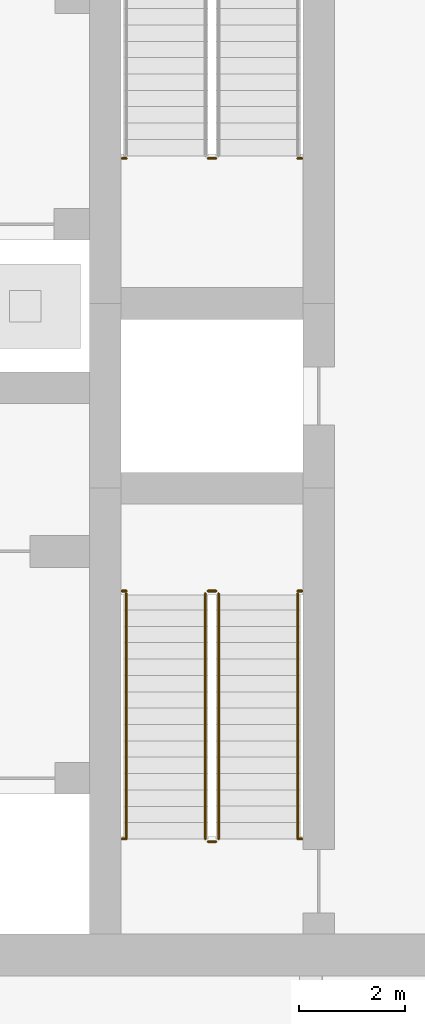
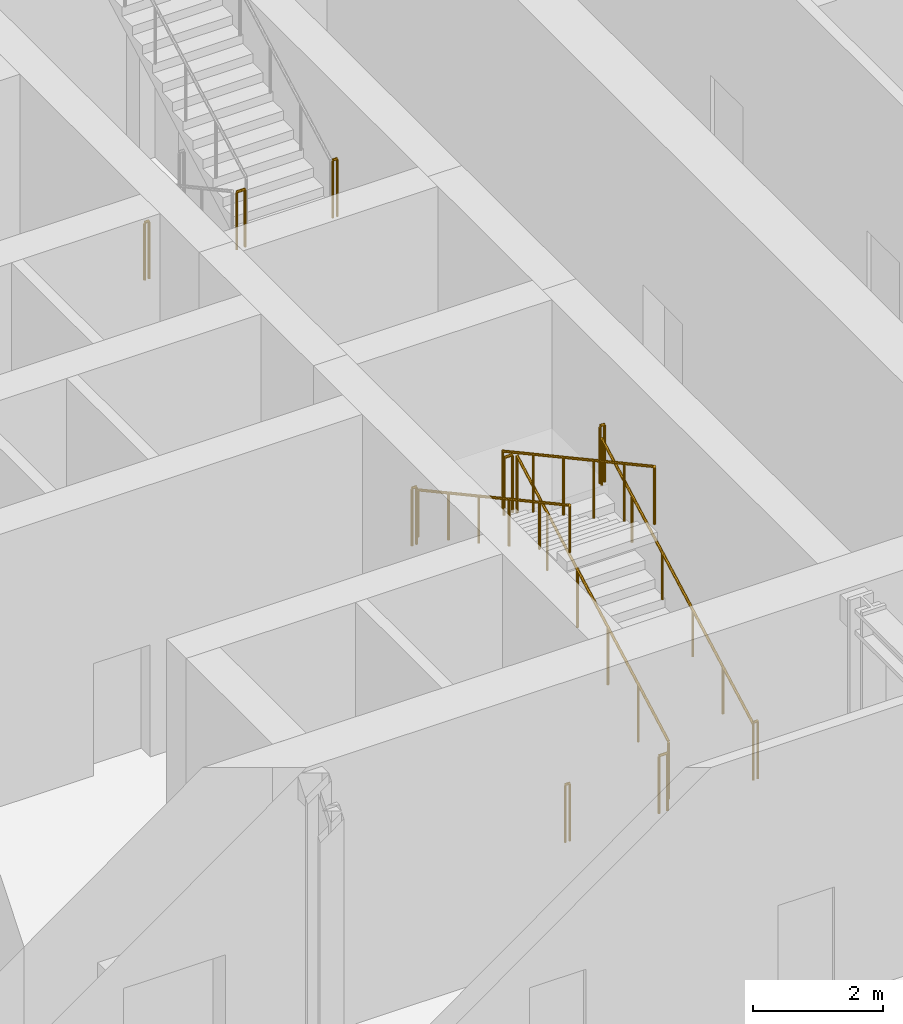
# One storey, part 23 of 27: 13 railings.
"""IFC4 building model written with IfcOpenShell, lengths in metres."""

from ifc_helpers import new_model, si_unit, direction, frame, origin, origin_2d, place, context, subcontext, project, spatial, circle, extrude, material, type_object, element, save


model = new_model("IFC4")

# Units and contexts
model_context = context("Model", 3, precision=1e-05, world=origin(), true_north=direction((0.0, 1.0)))
body_context = subcontext(model_context, "Body", "Model", "MODEL_VIEW")
ifc_project = project(units=[si_unit("LENGTHUNIT", "METRE"), si_unit("AREAUNIT", "SQUARE_METRE"), si_unit("VOLUMEUNIT", "CUBIC_METRE"), si_unit("PLANEANGLEUNIT", "RADIAN"), si_unit("MASSUNIT", "GRAM", prefix="KILO")], contexts=[model_context])

# Site, building, storey
site_placement = place(None, origin())
site = spatial("IfcSite", under=ifc_project, at=site_placement, CompositionType="ELEMENT")
building_placement = place(site_placement, origin())
building = spatial("IfcBuilding", under=site, at=building_placement, Name="Madar Terraces", CompositionType="ELEMENT")
storey_placement = place(building_placement, frame((0.0, 0.0, 143.60009765625)))
storey = spatial("IfcBuildingStorey", under=building, at=storey_placement, Name="L37", CompositionType="ELEMENT", Elevation=143.60009765625)

# Railings
ifc_material_1 = material(Name="Stainless steel railing", Category="steel")
railing_type_1 = type_object("IfcRailingType", Name="Stair guard 1100", PredefinedType="GUARDRAIL", material=ifc_material_1)
railing_1_placement = place(storey_placement, frame((41.25, 30.5, 2.699951171875)))
element("IfcRailing", 1, at=railing_1_placement, inside=storey, type_object=railing_type_1, Name="L37 ST2 stair guard 2", PredefinedType="GUARDRAIL", context=body_context, shape_type="SweptSolid", body=[
    extrude(circle(Radius=0.02392578125, at=origin_2d()), frame((0.0, 0.0, 1.076171875), z_axis=(1.0, 0.0, 0.0), x_axis=(0.0, 1.0, 0.0)), (0.0, 0.0, 1.0), 0.14990234375),
    extrude(circle(Radius=0.02099609375, at=origin_2d()), origin(), (0.0, 0.0, 1.0), 1.052001953125),
    extrude(circle(Radius=0.02099609375, at=origin_2d()), frame((0.14990234375, 0.0, 0.0)), (0.0, 0.0, 1.0), 1.052001953125),
])
railing_2_placement = place(storey_placement, frame((41.449951171875, 17.60009765625, 0.168701171875)))
element("IfcRailing", 2, at=railing_2_placement, inside=storey, type_object=railing_type_1, Name="L37 ST3 stair guard 1", PredefinedType="GUARDRAIL", context=body_context, shape_type="SweptSolid", body=[
    extrude(circle(Radius=0.02392578125, at=origin_2d()), frame((0.0, 0.0, 1.076171875), z_axis=(0.0, 0.878297076953, 0.478115304728), x_axis=(-1.0, 0.0, 0.0)), (0.0, 0.0, 1.0), 5.294189453125),
    extrude(circle(Radius=0.02099609375, at=origin_2d()), origin(), (0.0, 0.0, 1.0), 1.052001953125),
    extrude(circle(Radius=0.02099609375, at=origin_2d()), frame((0.0, 0.929931640625, 0.50634765625)), (0.0, 0.0, 1.0), 1.052001953125),
    extrude(circle(Radius=0.02099609375, at=origin_2d()), frame((0.0, 1.85986328125, 1.012451171875)), (0.0, 0.0, 1.0), 1.052001953125),
    extrude(circle(Radius=0.02099609375, at=origin_2d()), frame((0.0, 2.7900390625, 1.518798828125)), (0.0, 0.0, 1.0), 1.052001953125),
    extrude(circle(Radius=0.02099609375, at=origin_2d()), frame((0.0, 3.719970703125, 2.02490234375)), (0.0, 0.0, 1.0), 1.052001953125),
    extrude(circle(Radius=0.02099609375, at=origin_2d()), frame((0.0, 4.64990234375, 2.53125)), (0.0, 0.0, 1.0), 1.052001953125),
])
railing_3_placement = place(storey_placement, frame((41.39990234375, 22.300048828125, 2.699951171875)))
element("IfcRailing", 3, at=railing_3_placement, inside=storey, type_object=railing_type_1, Name="L37 ST3 stair guard 2", PredefinedType="GUARDRAIL", context=body_context, shape_type="SweptSolid", body=[
    extrude(circle(Radius=0.02392578125, at=origin_2d()), frame((0.0, 0.0, 1.076171875), z_axis=(-1.0, 0.0, 0.0), x_axis=(0.0, -1.0, 0.0)), (0.0, 0.0, 1.0), 0.14990234375),
    extrude(circle(Radius=0.02099609375, at=origin_2d()), origin(), (0.0, 0.0, 1.0), 1.052001953125),
    extrude(circle(Radius=0.02099609375, at=origin_2d()), frame((-0.14990234375, 0.0, 0.0)), (0.0, 0.0, 1.0), 1.052001953125),
])
railing_4_placement = place(storey_placement, frame((41.199951171875, 22.25, 2.86865234375)))
element("IfcRailing", 4, at=railing_4_placement, inside=storey, type_object=railing_type_1, Name="L37 ST3 stair guard 3", PredefinedType="GUARDRAIL", context=body_context, shape_type="SweptSolid", body=[
    extrude(circle(Radius=0.02392578125, at=origin_2d()), frame((0.0, 0.0, 1.076171875), z_axis=(0.0, -0.878297076953, 0.478115304728), x_axis=(1.0, 0.0, 0.0)), (0.0, 0.0, 1.0), 5.294189453125),
    extrude(circle(Radius=0.02099609375, at=origin_2d()), origin(), (0.0, 0.0, 1.0), 1.052001953125),
    extrude(circle(Radius=0.02099609375, at=origin_2d()), frame((0.0, -0.929931640625, 0.50634765625)), (0.0, 0.0, 1.0), 1.052001953125),
    extrude(circle(Radius=0.02099609375, at=origin_2d()), frame((0.0, -1.85986328125, 1.012451171875)), (0.0, 0.0, 1.0), 1.052001953125),
    extrude(circle(Radius=0.02099609375, at=origin_2d()), frame((0.0, -2.7900390625, 1.518798828125)), (0.0, 0.0, 1.0), 1.052001953125),
    extrude(circle(Radius=0.02099609375, at=origin_2d()), frame((0.0, -3.719970703125, 2.02490234375)), (0.0, 0.0, 1.0), 1.052001953125),
    extrude(circle(Radius=0.02099609375, at=origin_2d()), frame((0.0, -4.64990234375, 2.53125)), (0.0, 0.0, 1.0), 1.052001953125),
])
railing_5_placement = place(storey_placement, frame((41.39990234375, 17.550048828125, 0.0)))
element("IfcRailing", 5, at=railing_5_placement, inside=storey, type_object=railing_type_1, Name="L37 ST3 stair guard 4", PredefinedType="GUARDRAIL", context=body_context, shape_type="SweptSolid", body=[
    extrude(circle(Radius=0.02392578125, at=origin_2d()), frame((0.0, 0.0, 1.076171875), z_axis=(-1.0, 0.0, 0.0), x_axis=(0.0, -1.0, 0.0)), (0.0, 0.0, 1.0), 0.14990234375),
    extrude(circle(Radius=0.02099609375, at=origin_2d()), origin(), (0.0, 0.0, 1.0), 1.052001953125),
    extrude(circle(Radius=0.02099609375, at=origin_2d()), frame((-0.14990234375, 0.0, 0.0)), (0.0, 0.0, 1.0), 1.052001953125),
])
railing_6_placement = place(storey_placement, frame((39.6201171875, 30.5, 2.699951171875)))
element("IfcRailing", 6, at=railing_6_placement, inside=storey, type_object=railing_type_1, Name="L37 stair guard seat 1", PredefinedType="GUARDRAIL", context=body_context, shape_type="SweptSolid", body=[
    extrude(circle(Radius=0.02392578125, at=origin_2d()), frame((0.0, 0.0, 1.076171875), z_axis=(1.0, 0.0, 0.0), x_axis=(0.0, 1.0, 0.0)), (0.0, 0.0, 1.0), 0.079833984375),
    extrude(circle(Radius=0.02099609375, at=origin_2d()), origin(), (0.0, 0.0, 1.0), 1.052001953125),
    extrude(circle(Radius=0.02099609375, at=origin_2d()), frame((0.079833984375, 0.0, 0.0)), (0.0, 0.0, 1.0), 1.052001953125),
])
railing_7_placement = place(storey_placement, frame((42.949951171875, 30.5, 2.699951171875)))
element("IfcRailing", 7, at=railing_7_placement, inside=storey, type_object=railing_type_1, Name="L37 stair guard seat 2", PredefinedType="GUARDRAIL", context=body_context, shape_type="SweptSolid", body=[
    extrude(circle(Radius=0.02392578125, at=origin_2d()), frame((0.0, 0.0, 1.076171875), z_axis=(1.0, 0.0, 0.0), x_axis=(0.0, 1.0, 0.0)), (0.0, 0.0, 1.0), 0.080078125),
    extrude(circle(Radius=0.02099609375, at=origin_2d()), origin(), (0.0, 0.0, 1.0), 1.052001953125),
    extrude(circle(Radius=0.02099609375, at=origin_2d()), frame((0.080078125, 0.0, 0.0)), (0.0, 0.0, 1.0), 1.052001953125),
])
railing_8_placement = place(storey_placement, frame((39.6201171875, 22.300048828125, 2.699951171875)))
element("IfcRailing", 8, at=railing_8_placement, inside=storey, type_object=railing_type_1, Name="L37 stair guard seat 1", PredefinedType="GUARDRAIL", context=body_context, shape_type="SweptSolid", body=[
    extrude(circle(Radius=0.02392578125, at=origin_2d()), frame((0.0, 0.0, 1.076171875), z_axis=(1.0, 0.0, 0.0), x_axis=(0.0, 1.0, 0.0)), (0.0, 0.0, 1.0), 0.079833984375),
    extrude(circle(Radius=0.02099609375, at=origin_2d()), origin(), (0.0, 0.0, 1.0), 1.052001953125),
    extrude(circle(Radius=0.02099609375, at=origin_2d()), frame((0.079833984375, 0.0, 0.0)), (0.0, 0.0, 1.0), 1.052001953125),
])
railing_9_placement = place(storey_placement, frame((42.949951171875, 22.300048828125, 2.699951171875)))
element("IfcRailing", 9, at=railing_9_placement, inside=storey, type_object=railing_type_1, Name="L37 stair guard seat 2", PredefinedType="GUARDRAIL", context=body_context, shape_type="SweptSolid", body=[
    extrude(circle(Radius=0.02392578125, at=origin_2d()), frame((0.0, 0.0, 1.076171875), z_axis=(1.0, 0.0, 0.0), x_axis=(0.0, 1.0, 0.0)), (0.0, 0.0, 1.0), 0.080078125),
    extrude(circle(Radius=0.02099609375, at=origin_2d()), origin(), (0.0, 0.0, 1.0), 1.052001953125),
    extrude(circle(Radius=0.02099609375, at=origin_2d()), frame((0.080078125, 0.0, 0.0)), (0.0, 0.0, 1.0), 1.052001953125),
])
railing_10_placement = place(storey_placement, frame((39.6201171875, 17.60009765625, 0.0)))
element("IfcRailing", 10, at=railing_10_placement, inside=storey, type_object=railing_type_1, Name="L37 stair guard floor 1", PredefinedType="GUARDRAIL", context=body_context, shape_type="SweptSolid", body=[
    extrude(circle(Radius=0.02392578125, at=origin_2d()), frame((0.0, 0.0, 1.076171875), z_axis=(1.0, 0.0, 0.0), x_axis=(0.0, 1.0, 0.0)), (0.0, 0.0, 1.0), 0.079833984375),
    extrude(circle(Radius=0.02099609375, at=origin_2d()), origin(), (0.0, 0.0, 1.0), 1.052001953125),
    extrude(circle(Radius=0.02099609375, at=origin_2d()), frame((0.079833984375, 0.0, 0.0)), (0.0, 0.0, 1.0), 1.052001953125),
])
railing_11_placement = place(storey_placement, frame((42.949951171875, 17.60009765625, 0.0)))
element("IfcRailing", 11, at=railing_11_placement, inside=storey, type_object=railing_type_1, Name="L37 stair guard floor 2", PredefinedType="GUARDRAIL", context=body_context, shape_type="SweptSolid", body=[
    extrude(circle(Radius=0.02392578125, at=origin_2d()), frame((0.0, 0.0, 1.076171875), z_axis=(1.0, 0.0, 0.0), x_axis=(0.0, 1.0, 0.0)), (0.0, 0.0, 1.0), 0.080078125),
    extrude(circle(Radius=0.02099609375, at=origin_2d()), origin(), (0.0, 0.0, 1.0), 1.052001953125),
    extrude(circle(Radius=0.02099609375, at=origin_2d()), frame((0.080078125, 0.0, 0.0)), (0.0, 0.0, 1.0), 1.052001953125),
])
ifc_material_2 = material(Name="Stainless steel railing", Category="steel")
railing_type_2 = type_object("IfcRailingType", Name="Stair handrail 900", PredefinedType="HANDRAIL", material=ifc_material_2)
railing_12_placement = place(storey_placement, frame((42.949951171875, 17.60009765625, 0.168701171875)))
element("IfcRailing", 12, at=railing_12_placement, inside=storey, type_object=railing_type_2, Name="L37 ST3 stair handrail 1", PredefinedType="HANDRAIL", context=body_context, shape_type="SweptSolid", body=[
    extrude(circle(Radius=0.02392578125, at=origin_2d()), frame((0.0, 0.0, 0.8759765625), z_axis=(0.0, 0.878297076953, 0.478115304728), x_axis=(-1.0, 0.0, 0.0)), (0.0, 0.0, 1.0), 5.294189453125),
    extrude(circle(Radius=0.02099609375, at=origin_2d()), origin(), (0.0, 0.0, 1.0), 0.851806640625),
    extrude(circle(Radius=0.02099609375, at=origin_2d()), frame((0.0, 0.929931640625, 0.50634765625)), (0.0, 0.0, 1.0), 0.851806640625),
    extrude(circle(Radius=0.02099609375, at=origin_2d()), frame((0.0, 1.85986328125, 1.012451171875)), (0.0, 0.0, 1.0), 0.851806640625),
    extrude(circle(Radius=0.02099609375, at=origin_2d()), frame((0.0, 2.7900390625, 1.518798828125)), (0.0, 0.0, 1.0), 0.851806640625),
    extrude(circle(Radius=0.02099609375, at=origin_2d()), frame((0.0, 3.719970703125, 2.02490234375)), (0.0, 0.0, 1.0), 0.851806640625),
    extrude(circle(Radius=0.02099609375, at=origin_2d()), frame((0.0, 4.64990234375, 2.53125)), (0.0, 0.0, 1.0), 0.851806640625),
])
railing_13_placement = place(storey_placement, frame((39.699951171875, 22.25, 2.86865234375)))
element("IfcRailing", 13, at=railing_13_placement, inside=storey, type_object=railing_type_2, Name="L37 ST3 stair handrail 2", PredefinedType="HANDRAIL", context=body_context, shape_type="SweptSolid", body=[
    extrude(circle(Radius=0.02392578125, at=origin_2d()), frame((0.0, 0.0, 0.8759765625), z_axis=(0.0, -0.878297076953, 0.478115304728), x_axis=(1.0, 0.0, 0.0)), (0.0, 0.0, 1.0), 5.294189453125),
    extrude(circle(Radius=0.02099609375, at=origin_2d()), origin(), (0.0, 0.0, 1.0), 0.851806640625),
    extrude(circle(Radius=0.02099609375, at=origin_2d()), frame((0.0, -0.929931640625, 0.50634765625)), (0.0, 0.0, 1.0), 0.851806640625),
    extrude(circle(Radius=0.02099609375, at=origin_2d()), frame((0.0, -1.85986328125, 1.012451171875)), (0.0, 0.0, 1.0), 0.851806640625),
    extrude(circle(Radius=0.02099609375, at=origin_2d()), frame((0.0, -2.7900390625, 1.518798828125)), (0.0, 0.0, 1.0), 0.851806640625),
    extrude(circle(Radius=0.02099609375, at=origin_2d()), frame((0.0, -3.719970703125, 2.02490234375)), (0.0, 0.0, 1.0), 0.851806640625),
    extrude(circle(Radius=0.02099609375, at=origin_2d()), frame((0.0, -4.64990234375, 2.53125)), (0.0, 0.0, 1.0), 0.851806640625),
])

save(model, "model.ifc")
